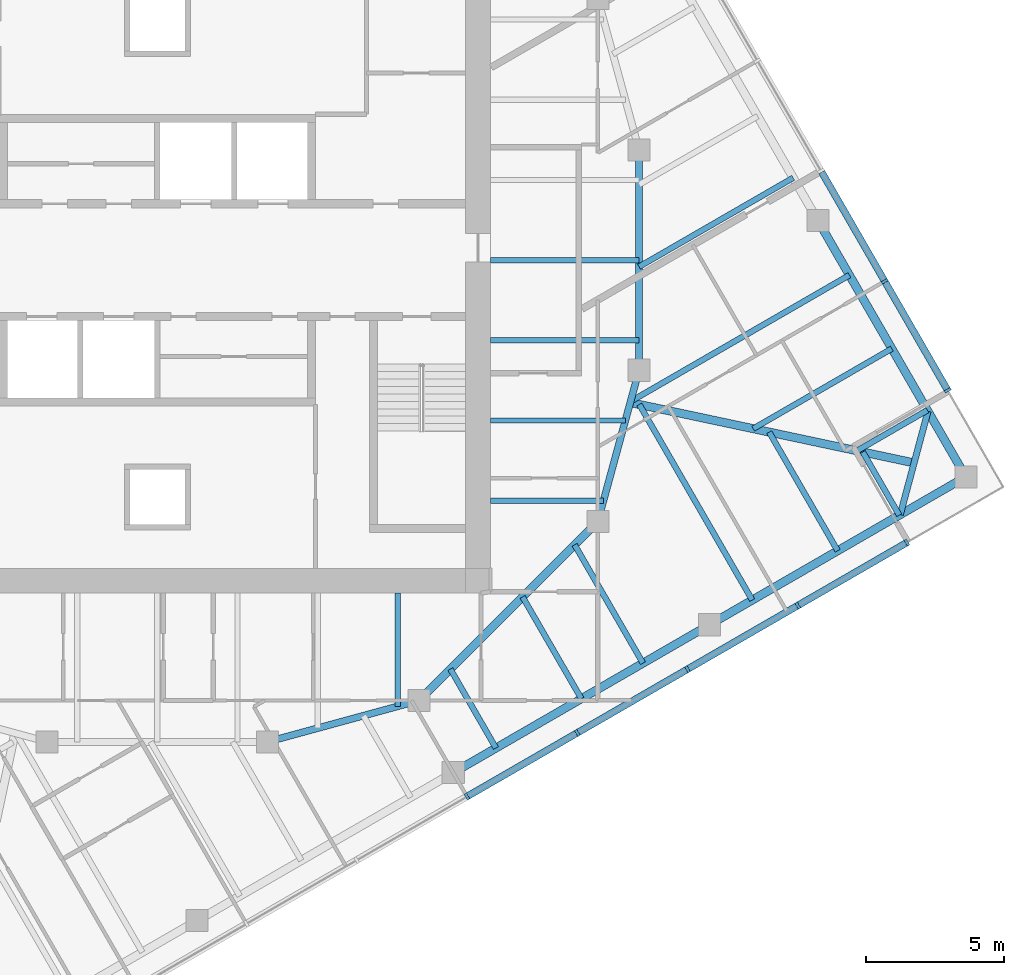
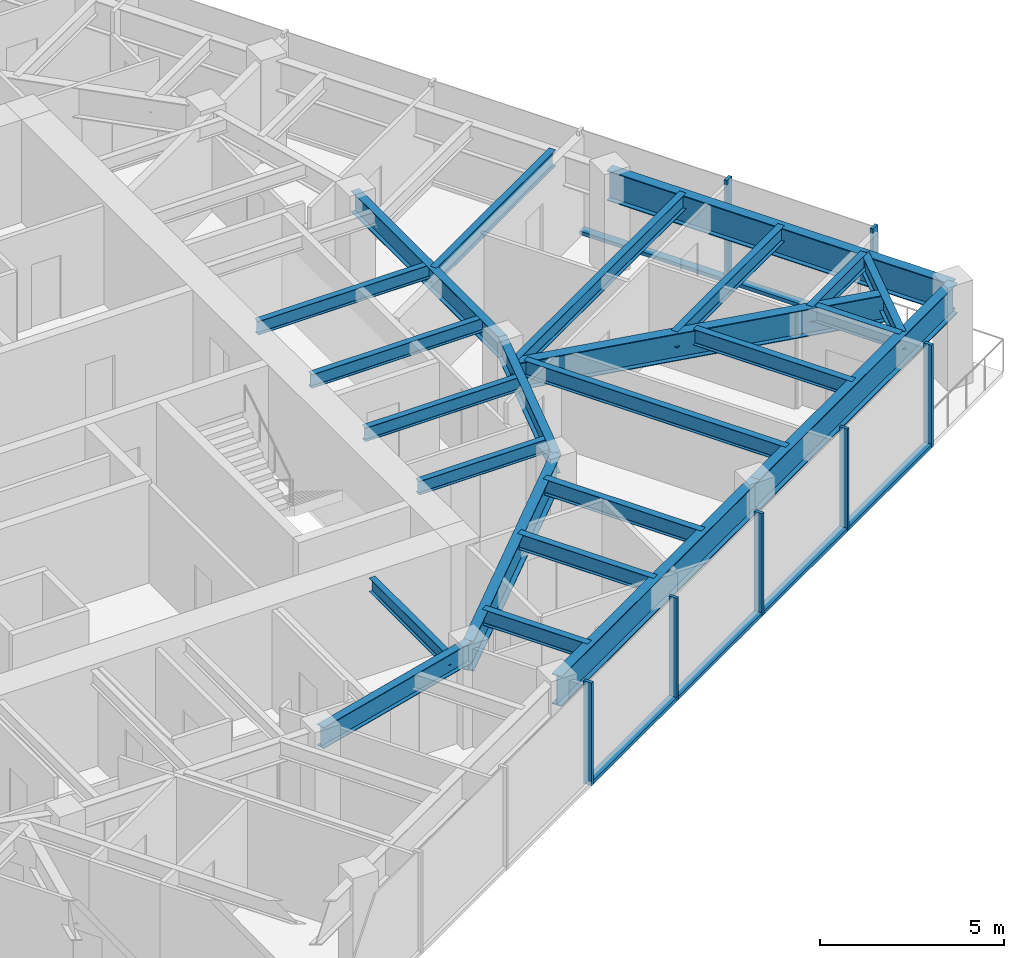
# One storey, part 3 of 13: 24 beams, 13 members, 2 elements without a shape of their own.
"""IFC4 building model written with IfcOpenShell, lengths in metres."""

from ifc_helpers import new_model, si_unit, direction, frame, origin, origin_2d, place, context, subcontext, project, spatial, rectangle, i_section, extrude, material, material_profile, profile_set, type_object, element, aggregate, save


model = new_model("IFC4")

# Units and contexts
model_context = context("Model", 3, precision=1e-05, world=origin(), true_north=direction((0.0, 1.0)))
body_context = subcontext(model_context, "Body", "Model", "MODEL_VIEW")
ifc_project = project(units=[si_unit("LENGTHUNIT", "METRE"), si_unit("AREAUNIT", "SQUARE_METRE"), si_unit("VOLUMEUNIT", "CUBIC_METRE"), si_unit("PLANEANGLEUNIT", "RADIAN"), si_unit("MASSUNIT", "GRAM", prefix="KILO")], contexts=[model_context])

# Site, building, storey
site_placement = place(None, origin())
site = spatial("IfcSite", under=ifc_project, at=site_placement, CompositionType="ELEMENT")
building_placement = place(site_placement, origin())
building = spatial("IfcBuilding", under=site, at=building_placement, Name="Torsade Residences", CompositionType="ELEMENT")
storey_placement = place(building_placement, frame((0.0, 0.0, 225.199951171875)))
storey = spatial("IfcBuildingStorey", under=building, at=storey_placement, Name="L62", CompositionType="ELEMENT", Elevation=225.199951171875)

# Beams
ifc_material_1 = material(Name="Steel grade 300", Category="steel")
ifc_material_profile_1 = material_profile(ifc_material_1, i_section(OverallWidth=0.300048828125, OverallDepth=0.89990234375, WebThickness=0.011962890625, FlangeThickness=0.02490234375, at=origin_2d()), Name="900WB175")
ifc_profile_set_1 = profile_set([ifc_material_profile_1], Name="Steel grade 300")
beam_type_1 = type_object("IfcBeamType", Name="CORNER GIRDER 900WB175", PredefinedType="BEAM", material=ifc_profile_set_1)
beam_1_placement = place(storey_placement, frame((67.4912109375, 22.6337890625, 2.800048828125), z_axis=(-0.978115155685, 0.20806427425, 0.0), x_axis=(-0.20806427425, -0.978115155685, 0.0)))
element("IfcBeam", 1, at=beam_1_placement, inside=storey, type_object=beam_type_1, Name="Corner girder 05 L63", PredefinedType="BEAM", context=body_context, shape_type="SweptSolid", body=[
    extrude(i_section(OverallWidth=0.300048828125, OverallDepth=0.89990234375, WebThickness=0.011962890625, FlangeThickness=0.02490234375, at=origin_2d()), origin(), (0.0, 0.0, 1.0), 10.541748046875),
])
ifc_material_2 = material(Name="Steel grade 300", Category="steel")
ifc_material_profile_2 = material_profile(ifc_material_2, i_section(OverallWidth=0.22802734375, OverallDepth=0.60205078125, WebThickness=0.010498046875, FlangeThickness=0.014892578125, FilletRadius=0.013916015625, at=origin_2d()), Name="610UB101")
ifc_profile_set_2 = profile_set([ifc_material_profile_2], Name="Steel grade 300")
beam_type_2 = type_object("IfcBeamType", Name="CORNER TRIMMER 610UB101", PredefinedType="BEAM", material=ifc_profile_set_2)
beam_2_placement = place(storey_placement, frame((67.99462890625, 24.511962890625, 2.948974609375), z_axis=(-0.258822897619, -0.965924794002, 0.0), x_axis=(0.965924794002, -0.258822897619, 0.0)))
element("IfcBeam", 2, at=beam_2_placement, inside=storey, type_object=beam_type_2, Name="Corner trimmer 05 L63", PredefinedType="BEAM", context=body_context, shape_type="SweptSolid", body=[
    extrude(i_section(OverallWidth=0.22802734375, OverallDepth=0.60205078125, WebThickness=0.010498046875, FlangeThickness=0.014892578125, FilletRadius=0.013916015625, at=origin_2d()), origin(), (0.0, 0.0, 1.0), 3.88916015625),
])
ifc_material_3 = material(Name="Steel grade 300", Category="steel")
ifc_material_profile_3 = material_profile(ifc_material_3, i_section(OverallWidth=0.300048828125, OverallDepth=1.0, WebThickness=0.01611328125, FlangeThickness=0.028076171875, at=origin_2d()), Name="1000WB215")
ifc_profile_set_3 = profile_set([ifc_material_profile_3], Name="Steel grade 300")
beam_type_3 = type_object("IfcBeamType", Name="EDGE BEAM 1000WB215", PredefinedType="SPANDREL", material=ifc_profile_set_3)
for number, where, z_axis, x_axis, name in (
    (3, (50.75, 11.38037109375, 2.75), (0.866026365697, 0.499998333915, 0.0), (-0.499998333915, 0.866026365697, 0.0), "Edge beam 03 L63"),
    (4, (60.059814453125, 16.75537109375, 2.75), (0.866026365697, 0.499998333915, 0.0), (-0.499998333915, 0.866026365697, 0.0), "Edge beam 04 L63"),
    (5, (69.36962890625, 22.13037109375, 2.75), (-0.499998333915, 0.866026365697, 0.0), (-0.866026365697, -0.499998333915, 0.0), "Edge beam 05 L63"),
):
    element("IfcBeam", number, at=place(storey_placement, frame(where, z_axis=z_axis, x_axis=x_axis)), inside=storey, type_object=beam_type_3, Name=name, PredefinedType="SPANDREL", context=body_context, shape_type="SweptSolid", body=[
        extrude(i_section(OverallWidth=0.300048828125, OverallDepth=1.0, WebThickness=0.01611328125, FlangeThickness=0.028076171875, at=origin_2d()), origin(), (0.0, 0.0, 1.0), 10.75),
    ])

# Curtain wall, members
ifc_material_4 = material(Name="Aluminium and glass", Category="aluminium")
curtain_wall_type = type_object("IfcCurtainWallType", Name="FRITTED GLASS CURTAIN WALL HIGH ZONE", PredefinedType="NOTDEFINED", material=ifc_material_4)
curtain_wall_1_placement = place(storey_placement, origin())
curtain_wall_1 = element("IfcCurtainWall", 6, at=curtain_wall_1_placement, inside=storey, type_object=curtain_wall_type, Name="Curtain wall L62 face 1", PredefinedType="NOTDEFINED")
ifc_material_5 = material(Name="Aluminium mullion", Category="aluminium")
ifc_material_profile_4 = material_profile(ifc_material_5, rectangle(XDim=0.25, YDim=0.10009765625, at=origin_2d()), Name="HIGH ZONE CURTAIN WALL MULLION 250x100")
ifc_profile_set_4 = profile_set([ifc_material_profile_4], Name="Aluminium mullion")
member_type_1 = type_object("IfcMemberType", Name="HIGH ZONE CURTAIN WALL MULLION 250x100", PredefinedType="MULLION", material=ifc_profile_set_4)
member_1_placement = place(storey_placement, frame((51.25, 10.514404296875, 0.0), z_axis=(0.0, 0.0, 1.0), x_axis=(-0.499999999305, 0.866025404186, 0.0)))
member_1 = element("IfcMember", 7, at=member_1_placement, type_object=member_type_1, Name="Mullion 5", PredefinedType="MULLION", context=body_context, shape_type="SweptSolid", body=[
    extrude(rectangle(XDim=0.25, YDim=0.10009765625, at=origin_2d()), origin(), (0.0, 0.0, 1.0), 3.400146484375),
])
member_2_placement = place(storey_placement, frame((55.25537109375, 12.826904296875, 0.0), z_axis=(0.0, 0.0, 1.0), x_axis=(-0.499999999305, 0.866025404186, 0.0)))
member_2 = element("IfcMember", 8, at=member_2_placement, type_object=member_type_1, Name="Mullion 6", PredefinedType="MULLION", context=body_context, shape_type="SweptSolid", body=[
    extrude(rectangle(XDim=0.25, YDim=0.10009765625, at=origin_2d()), origin(), (0.0, 0.0, 1.0), 3.400146484375),
])
member_3_placement = place(storey_placement, frame((59.2607421875, 15.139404296875, 0.0), z_axis=(0.0, 0.0, 1.0), x_axis=(-0.499999999305, 0.866025404186, 0.0)))
member_3 = element("IfcMember", 9, at=member_3_placement, type_object=member_type_1, Name="Mullion 7", PredefinedType="MULLION", context=body_context, shape_type="SweptSolid", body=[
    extrude(rectangle(XDim=0.25, YDim=0.10009765625, at=origin_2d()), origin(), (0.0, 0.0, 1.0), 3.400146484375),
])
member_4_placement = place(storey_placement, frame((63.26611328125, 17.451904296875, 0.0), z_axis=(0.0, 0.0, 1.0), x_axis=(-0.499999999305, 0.866025404186, 0.0)))
member_4 = element("IfcMember", 10, at=member_4_placement, type_object=member_type_1, Name="Mullion 8", PredefinedType="MULLION", context=body_context, shape_type="SweptSolid", body=[
    extrude(rectangle(XDim=0.25, YDim=0.10009765625, at=origin_2d()), origin(), (0.0, 0.0, 1.0), 3.400146484375),
])
member_5_placement = place(storey_placement, frame((67.228271484375, 19.739501953125, 0.0), z_axis=(0.0, 0.0, 1.0), x_axis=(-0.499999999305, 0.866025404186, 0.0)))
member_5 = element("IfcMember", 11, at=member_5_placement, type_object=member_type_1, Name="Mullion 9", PredefinedType="MULLION", context=body_context, shape_type="SweptSolid", body=[
    extrude(rectangle(XDim=0.25, YDim=0.10009765625, at=origin_2d()), origin(), (0.0, 0.0, 1.0), 3.400146484375),
])

curtain_wall_2_placement = place(storey_placement, origin())
curtain_wall_2 = element("IfcCurtainWall", 12, at=curtain_wall_2_placement, inside=storey, type_object=curtain_wall_type, Name="Curtain wall L62 face 4", PredefinedType="NOTDEFINED")
member_6_placement = place(storey_placement, frame((68.710693359375, 25.271728515625, 0.0), z_axis=(0.0, 0.0, 1.0), x_axis=(-0.866025404186, -0.499999999305, 0.0)))
member_6 = element("IfcMember", 13, at=member_6_placement, type_object=member_type_1, Name="Mullion 1", PredefinedType="MULLION", context=body_context, shape_type="SweptSolid", body=[
    extrude(rectangle(XDim=0.25, YDim=0.10009765625, at=origin_2d()), origin(), (0.0, 0.0, 1.0), 3.400146484375),
])
member_7_placement = place(storey_placement, frame((66.423095703125, 29.23388671875, 0.0), z_axis=(0.0, 0.0, 1.0), x_axis=(-0.866025404186, -0.499999999305, 0.0)))
member_7 = element("IfcMember", 14, at=member_7_placement, type_object=member_type_1, Name="Mullion 2", PredefinedType="MULLION", context=body_context, shape_type="SweptSolid", body=[
    extrude(rectangle(XDim=0.25, YDim=0.10009765625, at=origin_2d()), origin(), (0.0, 0.0, 1.0), 3.400146484375),
])

# Member
ifc_material_6 = material(Name="Aluminium transom", Category="aluminium")
ifc_material_profile_5 = material_profile(ifc_material_6, rectangle(XDim=0.25, YDim=0.1201171875, at=origin_2d()), Name="HIGH ZONE CURTAIN WALL TRANSOM 250x120")
ifc_profile_set_5 = profile_set([ifc_material_profile_5], Name="Aluminium transom")
member_type_2 = type_object("IfcMemberType", Name="HIGH ZONE CURTAIN WALL TRANSOM 250x120", PredefinedType="USERDEFINED", material=ifc_profile_set_5)
member_8_placement = place(storey_placement, frame((51.293212890625, 10.539306640625, 0.06005859375), z_axis=(0.866016678684, 0.500015112013, 0.0), x_axis=(-0.500015112013, 0.866016678684, 0.0)))
member_8 = element("IfcMember", 15, at=member_8_placement, type_object=member_type_2, Name="Transom 5.1", ObjectType="TRANSOM", PredefinedType="USERDEFINED", context=body_context, shape_type="SweptSolid", body=[
    extrude(rectangle(XDim=0.25, YDim=0.1201171875, at=origin_2d()), origin(), (0.0, 0.0, 1.0), 4.525146484375),
])

member_9_placement = place(storey_placement, frame((55.298583984375, 12.851806640625, 0.06005859375), z_axis=(0.866016678684, 0.500015112013, 0.0), x_axis=(-0.500015112013, 0.866016678684, 0.0)))
member_9 = element("IfcMember", 16, at=member_9_placement, type_object=member_type_2, Name="Transom 6.1", ObjectType="TRANSOM", PredefinedType="USERDEFINED", context=body_context, shape_type="SweptSolid", body=[
    extrude(rectangle(XDim=0.25, YDim=0.1201171875, at=origin_2d()), origin(), (0.0, 0.0, 1.0), 4.525146484375),
])

member_10_placement = place(storey_placement, frame((59.303955078125, 15.164306640625, 0.06005859375), z_axis=(0.866016678684, 0.500015112013, 0.0), x_axis=(-0.500015112013, 0.866016678684, 0.0)))
member_10 = element("IfcMember", 17, at=member_10_placement, type_object=member_type_2, Name="Transom 7.1", ObjectType="TRANSOM", PredefinedType="USERDEFINED", context=body_context, shape_type="SweptSolid", body=[
    extrude(rectangle(XDim=0.25, YDim=0.1201171875, at=origin_2d()), origin(), (0.0, 0.0, 1.0), 4.525146484375),
])

member_11_placement = place(storey_placement, frame((63.309326171875, 17.476806640625, 0.06005859375), z_axis=(0.866022053326, 0.50000580312, 0.0), x_axis=(-0.50000580312, 0.866022053326, 0.0)))
member_11 = element("IfcMember", 18, at=member_11_placement, type_object=member_type_2, Name="Transom 8.1", ObjectType="TRANSOM", PredefinedType="USERDEFINED", context=body_context, shape_type="SweptSolid", body=[
    extrude(rectangle(XDim=0.25, YDim=0.1201171875, at=origin_2d()), origin(), (0.0, 0.0, 1.0), 4.47509765625),
])

aggregate(curtain_wall_1, [member_1, member_2, member_3, member_4, member_5, member_8, member_9, member_10, member_11])

member_12_placement = place(storey_placement, frame((68.685546875, 25.315185546875, 0.06005859375), z_axis=(-0.50000580312, 0.866022053326, 0.0), x_axis=(-0.866022053326, -0.50000580312, 0.0)))
member_12 = element("IfcMember", 19, at=member_12_placement, type_object=member_type_2, Name="Transom 1.1", ObjectType="TRANSOM", PredefinedType="USERDEFINED", context=body_context, shape_type="SweptSolid", body=[
    extrude(rectangle(XDim=0.25, YDim=0.1201171875, at=origin_2d()), origin(), (0.0, 0.0, 1.0), 4.47509765625),
])

member_13_placement = place(storey_placement, frame((66.398193359375, 29.277099609375, 0.06005859375), z_axis=(-0.500015112013, 0.866016678684, 0.0), x_axis=(-0.866016678684, -0.500015112013, 0.0)))
member_13 = element("IfcMember", 20, at=member_13_placement, type_object=member_type_2, Name="Transom 2.1", ObjectType="TRANSOM", PredefinedType="USERDEFINED", context=body_context, shape_type="SweptSolid", body=[
    extrude(rectangle(XDim=0.25, YDim=0.1201171875, at=origin_2d()), origin(), (0.0, 0.0, 1.0), 4.525146484375),
])

aggregate(curtain_wall_2, [member_6, member_7, member_12, member_13])

# Beams
ifc_material_7 = material(Name="Steel grade 300", Category="steel")
ifc_material_profile_6 = material_profile(ifc_material_7, i_section(OverallWidth=0.18994140625, OverallDepth=0.4541015625, WebThickness=0.008544921875, FlangeThickness=0.0126953125, FilletRadius=0.011474609375, at=origin_2d()), Name="460UB67.1")
ifc_profile_set_6 = profile_set([ifc_material_profile_6], Name="Steel grade 300")
beam_type_4 = type_object("IfcBeamType", Name="INNER FLOOR BEAM 460UB67.1", PredefinedType="JOIST", material=ifc_profile_set_6)
for number, where, z_axis, x_axis, name in (
    (21, (48.737548828125, 17.89990234375, 3.02294921875), (0.0, -1.0, 0.0), (1.0, 0.0, 0.0), "Inner floor beam IS01 L63"),
    (22, (52.10009765625, 21.262451171875, 3.02294921875), (1.0, 0.0, 0.0), (0.0, 1.0, 0.0), "Inner floor beam IE01 L63"),
):
    element("IfcBeam", number, at=place(storey_placement, frame(where, z_axis=z_axis, x_axis=x_axis)), inside=storey, type_object=beam_type_4, Name=name, PredefinedType="JOIST", context=body_context, shape_type="SweptSolid", body=[
        extrude(i_section(OverallWidth=0.18994140625, OverallDepth=0.4541015625, WebThickness=0.008544921875, FlangeThickness=0.0126953125, FilletRadius=0.011474609375, at=origin_2d()), origin(), (0.0, 0.0, 1.0), 4.10791015625),
    ])
beam_3_placement = place(storey_placement, frame((52.10009765625, 24.175048828125, 3.02294921875), z_axis=(1.0, 0.0, 0.0), x_axis=(0.0, 1.0, 0.0)))
element("IfcBeam", 23, at=beam_3_placement, inside=storey, type_object=beam_type_4, Name="Inner floor beam IE02 L63", PredefinedType="JOIST", context=body_context, shape_type="SweptSolid", body=[
    extrude(i_section(OverallWidth=0.18994140625, OverallDepth=0.4541015625, WebThickness=0.008544921875, FlangeThickness=0.0126953125, FilletRadius=0.011474609375, at=origin_2d()), origin(), (0.0, 0.0, 1.0), 4.902099609375),
])
for number, where, z_axis, x_axis, name in (
    (24, (52.10009765625, 27.08740234375, 3.02294921875), (1.0, 0.0, 0.0), (0.0, 1.0, 0.0), "Inner floor beam IE03 L63"),
    (25, (52.10009765625, 30.0, 3.02294921875), (1.0, 0.0, 0.0), (0.0, 1.0, 0.0), "Inner floor beam IE04 L63"),
):
    element("IfcBeam", number, at=place(storey_placement, frame(where, z_axis=z_axis, x_axis=x_axis)), inside=storey, type_object=beam_type_4, Name=name, PredefinedType="JOIST", context=body_context, shape_type="SweptSolid", body=[
        extrude(i_section(OverallWidth=0.18994140625, OverallDepth=0.4541015625, WebThickness=0.008544921875, FlangeThickness=0.0126953125, FilletRadius=0.011474609375, at=origin_2d()), origin(), (0.0, 0.0, 1.0), 5.39990234375),
    ])
ifc_material_8 = material(Name="Steel grade 300", Category="steel")
ifc_material_profile_7 = material_profile(ifc_material_8, i_section(OverallWidth=0.300048828125, OverallDepth=1.0, WebThickness=0.01611328125, FlangeThickness=0.028076171875, at=origin_2d()), Name="1000WB215")
ifc_profile_set_7 = profile_set([ifc_material_profile_7], Name="Steel grade 300")
beam_type_5 = type_object("IfcBeamType", Name="RING CORNER GIRDER 1000WB215", PredefinedType="BEAM", material=ifc_profile_set_7)
beam_4_placement = place(storey_placement, frame((49.5, 14.0, 2.75), z_axis=(0.707106781187, 0.707106781187, 0.0), x_axis=(-0.707106781187, 0.707106781187, 0.0)))
element("IfcBeam", 26, at=beam_4_placement, inside=storey, type_object=beam_type_5, Name="Ring girder IR15 L63", PredefinedType="BEAM", context=body_context, shape_type="SweptSolid", body=[
    extrude(i_section(OverallWidth=0.300048828125, OverallDepth=1.0, WebThickness=0.01611328125, FlangeThickness=0.028076171875, at=origin_2d()), origin(), (0.0, 0.0, 1.0), 9.1923828125),
])
ifc_material_9 = material(Name="Steel grade 300", Category="steel")
ifc_material_profile_8 = material_profile(ifc_material_9, i_section(OverallWidth=0.25, OverallDepth=0.699951171875, WebThickness=0.010009765625, FlangeThickness=0.02001953125, at=origin_2d()), Name="700WB130")
ifc_profile_set_8 = profile_set([ifc_material_profile_8], Name="Steel grade 300")
beam_type_6 = type_object("IfcBeamType", Name="RING GIRDER 700WB130", PredefinedType="BEAM", material=ifc_profile_set_8)
beam_5_placement = place(storey_placement, frame((57.5, 26.0, 2.900146484375), z_axis=(0.0, 1.0, 0.0), x_axis=(-1.0, 0.0, 0.0)))
element("IfcBeam", 27, at=beam_5_placement, inside=storey, type_object=beam_type_6, Name="Ring girder IR01 L63", PredefinedType="BEAM", context=body_context, shape_type="SweptSolid", body=[
    extrude(i_section(OverallWidth=0.25, OverallDepth=0.699951171875, WebThickness=0.010009765625, FlangeThickness=0.02001953125, at=origin_2d()), origin(), (0.0, 0.0, 1.0), 8.0),
])
for number, where, z_axis, x_axis, name in (
    (28, (44.0, 12.5, 2.900146484375), (0.964763821238, 0.263117405792, 0.0), (-0.263117405792, 0.964763821238, 0.0), "Ring girder IR14 L63"),
    (29, (56.0, 20.5, 2.900146484375), (0.263117405792, 0.964763821238, 0.0), (-0.964763821238, 0.263117405792, 0.0), "Ring girder IR16 L63"),
):
    element("IfcBeam", number, at=place(storey_placement, frame(where, z_axis=z_axis, x_axis=x_axis)), inside=storey, type_object=beam_type_6, Name=name, PredefinedType="BEAM", context=body_context, shape_type="SweptSolid", body=[
        extrude(i_section(OverallWidth=0.25, OverallDepth=0.699951171875, WebThickness=0.010009765625, FlangeThickness=0.02001953125, at=origin_2d()), origin(), (0.0, 0.0, 1.0), 5.700927734375),
    ])
ifc_material_10 = material(Name="Steel grade 300", Category="steel")
ifc_material_profile_9 = material_profile(ifc_material_10, i_section(OverallWidth=0.208984375, OverallDepth=0.528076171875, WebThickness=0.009521484375, FlangeThickness=0.01318359375, FilletRadius=0.013916015625, at=origin_2d()), Name="530UB82.0")
ifc_profile_set_9 = profile_set([ifc_material_profile_9], Name="Steel grade 300")
beam_type_7 = type_object("IfcBeamType", Name="SECONDARY BEAM 530UB82.0", PredefinedType="JOIST", material=ifc_profile_set_9)
beam_6_placement = place(storey_placement, frame((52.301513671875, 12.2763671875, 2.986083984375), z_axis=(-0.499975512502, 0.866039541186, 0.0), x_axis=(-0.866039541186, -0.499975512502, 0.0)))
element("IfcBeam", 30, at=beam_6_placement, inside=storey, type_object=beam_type_7, Name="Floor beam FS07 L63", PredefinedType="JOIST", context=body_context, shape_type="SweptSolid", body=[
    extrude(i_section(OverallWidth=0.208984375, OverallDepth=0.528076171875, WebThickness=0.009521484375, FlangeThickness=0.01318359375, FilletRadius=0.013916015625, at=origin_2d()), origin(), (0.0, 0.0, 1.0), 3.312744140625),
])
beam_7_placement = place(storey_placement, frame((55.40478515625, 14.06787109375, 2.986083984375), z_axis=(-0.500004369671, 0.866022880939, 0.0), x_axis=(-0.866022880939, -0.500004369671, 0.0)))
element("IfcBeam", 31, at=beam_7_placement, inside=storey, type_object=beam_type_7, Name="Floor beam FS08 L63", PredefinedType="JOIST", context=body_context, shape_type="SweptSolid", body=[
    extrude(i_section(OverallWidth=0.208984375, OverallDepth=0.528076171875, WebThickness=0.009521484375, FlangeThickness=0.01318359375, FilletRadius=0.013916015625, at=origin_2d()), origin(), (0.0, 0.0, 1.0), 4.27294921875),
])
beam_8_placement = place(storey_placement, frame((57.64208984375, 15.359619140625, 2.986083984375), z_axis=(-0.49996790502, 0.866043933037, 0.0), x_axis=(-0.866043933037, -0.49996790502, 0.0)))
element("IfcBeam", 32, at=beam_8_placement, inside=storey, type_object=beam_type_7, Name="Floor beam FS09 L63", PredefinedType="JOIST", context=body_context, shape_type="SweptSolid", body=[
    extrude(i_section(OverallWidth=0.208984375, OverallDepth=0.528076171875, WebThickness=0.009521484375, FlangeThickness=0.01318359375, FilletRadius=0.013916015625, at=origin_2d()), origin(), (0.0, 0.0, 1.0), 4.965087890625),
])
beam_9_placement = place(storey_placement, frame((61.611328125, 17.6513671875, 2.986083984375), z_axis=(-0.499992034702, 0.866030002502, 0.0), x_axis=(-0.866030002502, -0.499992034702, 0.0)))
element("IfcBeam", 33, at=beam_9_placement, inside=storey, type_object=beam_type_7, Name="Floor beam FS10 L63", PredefinedType="JOIST", context=body_context, shape_type="SweptSolid", body=[
    extrude(i_section(OverallWidth=0.208984375, OverallDepth=0.528076171875, WebThickness=0.009521484375, FlangeThickness=0.01318359375, FilletRadius=0.013916015625, at=origin_2d()), origin(), (0.0, 0.0, 1.0), 8.205322265625),
])
beam_10_placement = place(storey_placement, frame((64.714599609375, 19.44287109375, 2.986083984375), z_axis=(-0.499968694491, 0.866043477274, 0.0), x_axis=(-0.866043477274, -0.499968694491, 0.0)))
element("IfcBeam", 34, at=beam_10_placement, inside=storey, type_object=beam_type_7, Name="Floor beam FS11 L63", PredefinedType="JOIST", context=body_context, shape_type="SweptSolid", body=[
    extrude(i_section(OverallWidth=0.208984375, OverallDepth=0.528076171875, WebThickness=0.009521484375, FlangeThickness=0.01318359375, FilletRadius=0.013916015625, at=origin_2d()), origin(), (0.0, 0.0, 1.0), 4.977783203125),
])
beam_11_placement = place(storey_placement, frame((66.951904296875, 20.734619140625, 2.986083984375), z_axis=(-0.499972238474, 0.866041431316, 0.0), x_axis=(-0.866041431316, -0.499972238474, 0.0)))
element("IfcBeam", 35, at=beam_11_placement, inside=storey, type_object=beam_type_7, Name="Floor beam FS12 L63", PredefinedType="JOIST", context=body_context, shape_type="SweptSolid", body=[
    extrude(i_section(OverallWidth=0.208984375, OverallDepth=0.528076171875, WebThickness=0.009521484375, FlangeThickness=0.01318359375, FilletRadius=0.013916015625, at=origin_2d()), origin(), (0.0, 0.0, 1.0), 2.651123046875),
])
beam_12_placement = place(storey_placement, frame((67.9736328125, 24.548095703125, 2.986083984375), z_axis=(-0.866017313224, -0.500014013, 0.0), x_axis=(0.500014013, -0.866017313224, 0.0)))
element("IfcBeam", 36, at=beam_12_placement, inside=storey, type_object=beam_type_7, Name="Floor beam FE01 L63", PredefinedType="JOIST", context=body_context, shape_type="SweptSolid", body=[
    extrude(i_section(OverallWidth=0.208984375, OverallDepth=0.528076171875, WebThickness=0.009521484375, FlangeThickness=0.01318359375, FilletRadius=0.013916015625, at=origin_2d()), origin(), (0.0, 0.0, 1.0), 2.94775390625),
])
beam_13_placement = place(storey_placement, frame((66.68212890625, 26.785400390625, 2.986083984375), z_axis=(-0.866031100357, -0.499990133118, 0.0), x_axis=(0.499990133118, -0.866031100357, 0.0)))
element("IfcBeam", 37, at=beam_13_placement, inside=storey, type_object=beam_type_7, Name="Floor beam FE02 L63", PredefinedType="JOIST", context=body_context, shape_type="SweptSolid", body=[
    extrude(i_section(OverallWidth=0.208984375, OverallDepth=0.528076171875, WebThickness=0.009521484375, FlangeThickness=0.01318359375, FilletRadius=0.013916015625, at=origin_2d()), origin(), (0.0, 0.0, 1.0), 5.81591796875),
])
beam_14_placement = place(storey_placement, frame((65.140380859375, 29.45556640625, 2.986083984375), z_axis=(-0.866021712342, -0.500006393711, 0.0), x_axis=(0.500006393711, -0.866021712342, 0.0)))
element("IfcBeam", 38, at=beam_14_placement, inside=storey, type_object=beam_type_7, Name="Floor beam FE03 L63", PredefinedType="JOIST", context=body_context, shape_type="SweptSolid", body=[
    extrude(i_section(OverallWidth=0.208984375, OverallDepth=0.528076171875, WebThickness=0.009521484375, FlangeThickness=0.01318359375, FilletRadius=0.013916015625, at=origin_2d()), origin(), (0.0, 0.0, 1.0), 9.1796875),
])
beam_15_placement = place(storey_placement, frame((63.0986328125, 32.991943359375, 2.986083984375), z_axis=(-0.866022073929, -0.500005767435, 0.0), x_axis=(0.500005767435, -0.866022073929, 0.0)))
element("IfcBeam", 39, at=beam_15_placement, inside=storey, type_object=beam_type_7, Name="Floor beam FE04 L63", PredefinedType="JOIST", context=body_context, shape_type="SweptSolid", body=[
    extrude(i_section(OverallWidth=0.208984375, OverallDepth=0.528076171875, WebThickness=0.009521484375, FlangeThickness=0.01318359375, FilletRadius=0.013916015625, at=origin_2d()), origin(), (0.0, 0.0, 1.0), 6.46484375),
])

save(model, "model.ifc")
